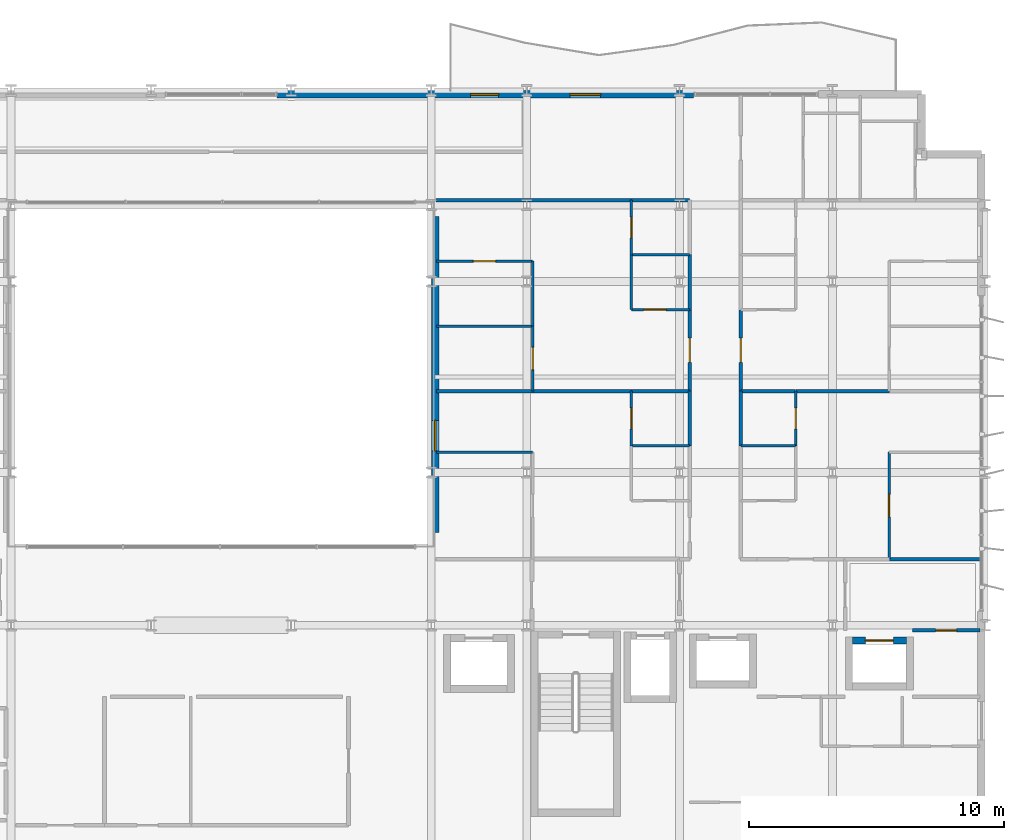
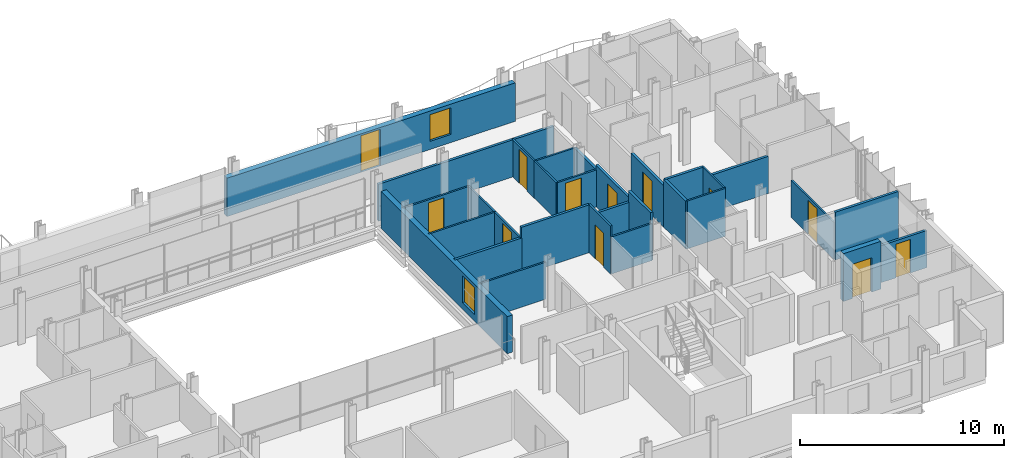
# One storey, part 32 of 39: 31 walls, 12 doors, 2 windows, 14 openings.
"""IFC4 building model written with IfcOpenShell, lengths in metres."""

from ifc_helpers import new_model, si_unit, direction, frame, frame_2d, origin, place, context, subcontext, project, spatial, rectangle, extrude, material, layer, layer_set, type_object, element, fill, save


model = new_model("IFC4")

# Units and contexts
model_context = context("Model", 3, precision=1e-05, world=origin(), true_north=direction((0.0, 1.0)))
body_context = subcontext(model_context, "Body", "Model", "MODEL_VIEW")
ifc_project = project(units=[si_unit("LENGTHUNIT", "METRE"), si_unit("AREAUNIT", "SQUARE_METRE"), si_unit("VOLUMEUNIT", "CUBIC_METRE"), si_unit("PLANEANGLEUNIT", "RADIAN"), si_unit("MASSUNIT", "GRAM", prefix="KILO")], contexts=[model_context])

# Site, building, storey
site_placement = place(None, origin())
site = spatial("IfcSite", under=ifc_project, at=site_placement, CompositionType="ELEMENT")
building_placement = place(site_placement, origin())
building = spatial("IfcBuilding", under=site, at=building_placement, Name="Brevholm Reach", CompositionType="ELEMENT")
storey_placement = place(building_placement, frame((0.0, 0.0, 77.60009765625)))
storey = spatial("IfcBuildingStorey", under=building, at=storey_placement, Name="L22", CompositionType="ELEMENT", Elevation=77.60009765625)

# Wall, opening, door
ifc_material_1 = material(Name="Concrete C50/60", Category="concrete")
ifc_layer_1 = layer(ifc_material_1, 0.280029296875)
ifc_layer_set_1 = layer_set([ifc_layer_1], Name="Concrete C50/60")
wall_type_1 = type_object("IfcWallType", Name="WAL-COR-280", PredefinedType="SHEAR", material=ifc_layer_set_1)
wall_1_placement = place(storey_placement, frame((54.7900390625, 9.39990234375, 0.0), z_axis=(0.0, 0.0, 1.0), x_axis=(1.0, 0.0, 0.0)))
wall_1 = element("IfcWall", 1, at=wall_1_placement, inside=storey, type_object=wall_type_1, Name="L22 Lift PL-L2 Shaft Wall N", PredefinedType="SHEAR", context=body_context, shape_type="SweptSolid", body=[
    extrude(rectangle(XDim=2.119873046875, YDim=0.280029296875, at=frame_2d((1.06005859375, 0.0))), origin(), (0.0, 0.0, 1.0), 2.869873046875),
])
opening_1_placement = place(wall_1_placement, frame((0.510009765625, 0.0, 0.0)))
opening_1 = element("IfcOpeningElement", 2, at=opening_1_placement, cuts=wall_1, Name="Opening LD-PL-L2", PredefinedType="OPENING", context=body_context, shape_type="SweptSolid", body=[
    extrude(rectangle(XDim=1.10009765625, YDim=2.06005859375, at=frame_2d((0.550048828125, 1.030029296875))), frame((0.0, 0.14990234375, 0.0), z_axis=(0.0, -1.0, 0.0), x_axis=(1.0, 0.0, 0.0)), (0.0, 0.0, 1.0), 0.300048828125),
])
ifc_material_2 = material(Name="Brushed Stainless Steel Fire-Rated Sliding Lift Door", Category="steel")
door_type_1 = type_object("IfcDoorType", Name="DOR-LFT-1100", OperationType="NOTDEFINED", PredefinedType="DOOR", material=ifc_material_2)
door_1_placement = place(opening_1_placement, origin())
door_1 = element("IfcDoor", 3, at=door_1_placement, inside=storey, type_object=door_type_1, Name="L22 Lift PL-L2 Sliding Landing Door", OperationType="SLIDING_TO_LEFT", OverallHeight=2.06005859375, OverallWidth=1.10009765625, PredefinedType="DOOR", context=body_context, shape_type="SweptSolid", body=[
    extrude(rectangle(XDim=1.10009765625, YDim=2.06005859375, at=frame_2d((0.550048828125, 1.030029296875))), frame((0.0, 0.02490234375, 0.0), z_axis=(0.0, -1.0, 0.0), x_axis=(1.0, 0.0, 0.0)), (0.0, 0.0, 1.0), 0.050048828125),
])
fill(opening_1, door_1)

# Wall, openings, door, window
ifc_material_3 = material(Name="Concrete C40/50", Category="concrete")
ifc_layer_2 = layer(ifc_material_3, 0.300048828125)
ifc_layer_set_2 = layer_set([ifc_layer_2], Name="Concrete C40/50")
wall_type_2 = type_object("IfcWallType", Name="WAL-EXT-300", PredefinedType="STANDARD", material=ifc_layer_set_2)
wall_2_placement = place(storey_placement, frame((32.199951171875, 30.85009765625, 0.0), z_axis=(0.0, 0.0, 1.0), x_axis=(1.0, 0.0, 0.0)))
wall_2 = element("IfcWall", 4, at=wall_2_placement, inside=storey, type_object=wall_type_2, Name="L22 Facade Wall WAL-L22-NP-ER", PredefinedType="STANDARD", context=body_context, shape_type="SweptSolid", body=[
    extrude(rectangle(XDim=16.35009765625, YDim=0.300048828125, at=frame_2d((8.175048828125, 0.0))), origin(), (0.0, 0.0, 1.0), 2.305419921875),
])
opening_2_placement = place(wall_2_placement, frame((7.60009765625, 0.0, 0.0)))
opening_2 = element("IfcOpeningElement", 5, at=opening_2_placement, cuts=wall_2, Name="Opening BD-01", PredefinedType="OPENING", context=body_context, shape_type="SweptSolid", body=[
    extrude(rectangle(XDim=1.10009765625, YDim=2.199951171875, at=frame_2d((0.550048828125, 1.10009765625))), frame((0.0, 0.159912109375, 0.0), z_axis=(0.0, -1.0, 0.0), x_axis=(1.0, 0.0, 0.0)), (0.0, 0.0, 1.0), 0.320068359375),
])
opening_3_placement = place(wall_2_placement, frame((11.5, 0.0, 0.486083984375)))
opening_3 = element("IfcOpeningElement", 6, at=opening_3_placement, cuts=wall_2, Name="Opening WN-08", PredefinedType="OPENING", context=body_context, shape_type="SweptSolid", body=[
    extrude(rectangle(XDim=1.199951171875, YDim=1.60009765625, at=frame_2d((0.60009765625, 0.800048828125))), frame((0.0, 0.159912109375, 0.0), z_axis=(0.0, -1.0, 0.0), x_axis=(1.0, 0.0, 0.0)), (0.0, 0.0, 1.0), 0.320068359375),
])
ifc_material_4 = material(Name="Dark Anodised Aluminium and Triple-Glazed Glass", Category="aluminium")
door_type_2 = type_object("IfcDoorType", Name="DOR-BALC-1100", OperationType="NOTDEFINED", PredefinedType="DOOR", material=ifc_material_4)
door_2_placement = place(opening_2_placement, origin())
door_2 = element("IfcDoor", 7, at=door_2_placement, inside=storey, type_object=door_type_2, Name="L22 Exterior Door DOR-L22-BL-NE", OperationType="SINGLE_SWING_LEFT", OverallHeight=2.199951171875, OverallWidth=1.10009765625, PredefinedType="DOOR", context=body_context, shape_type="SweptSolid", body=[
    extrude(rectangle(XDim=1.10009765625, YDim=2.199951171875, at=frame_2d((0.550048828125, 1.10009765625))), frame((0.0, 0.02490234375, 0.0), z_axis=(0.0, -1.0, 0.0), x_axis=(1.0, 0.0, 0.0)), (0.0, 0.0, 1.0), 0.050048828125),
])
fill(opening_2, door_2)
ifc_material_5 = material(Name="Dark Anodised Aluminium and Solar-Control IGU Glass", Category="aluminium")
window_type = type_object("IfcWindowType", Name="WIN-RES-1200", PartitioningType="SINGLE_PANEL", PredefinedType="WINDOW", material=ifc_material_5)
window_1_placement = place(opening_3_placement, origin())
window_1 = element("IfcWindow", 8, at=window_1_placement, inside=storey, type_object=window_type, Name="L22 Window WIN-L22-NP-ER1", OverallHeight=1.60009765625, OverallWidth=1.199951171875, PartitioningType="SINGLE_PANEL", PredefinedType="WINDOW", context=body_context, shape_type="SweptSolid", body=[
    extrude(rectangle(XDim=1.199951171875, YDim=1.60009765625, at=frame_2d((0.60009765625, 0.800048828125))), frame((0.0, 0.030029296875, 0.0), z_axis=(0.0, -1.0, 0.0), x_axis=(1.0, 0.0, 0.0)), (0.0, 0.0, 1.0), 0.06005859375),
])
fill(opening_3, window_1)

# Wall, opening, window
wall_3_placement = place(storey_placement, frame((38.39990234375, 13.64990234375, 0.0), z_axis=(0.0, 0.0, 1.0), x_axis=(0.0, 1.0, 0.0)))
wall_3 = element("IfcWall", 9, at=wall_3_placement, inside=storey, type_object=wall_type_2, Name="L22 Facade Wall WAL-L22-AT-E", PredefinedType="STANDARD", context=body_context, shape_type="SweptSolid", body=[
    extrude(rectangle(XDim=12.400146484375, YDim=0.300048828125, at=frame_2d((6.2001953125, 0.0))), origin(), (0.0, 0.0, 1.0), 2.224609375),
])
opening_4_placement = place(wall_3_placement, frame((3.199951171875, 0.0, 0.405029296875)))
opening_4 = element("IfcOpeningElement", 10, at=opening_4_placement, cuts=wall_3, Name="Opening WN-08", PredefinedType="OPENING", context=body_context, shape_type="SweptSolid", body=[
    extrude(rectangle(XDim=1.199951171875, YDim=1.60009765625, at=frame_2d((0.60009765625, 0.800048828125))), frame((0.0, 0.159912109375, 0.0), z_axis=(0.0, -1.0, 0.0), x_axis=(1.0, 0.0, 0.0)), (0.0, 0.0, 1.0), 0.320068359375),
])
window_2_placement = place(opening_4_placement, origin())
window_2 = element("IfcWindow", 11, at=window_2_placement, inside=storey, type_object=window_type, Name="L22 Window WIN-L22-AT-E1", OverallHeight=1.60009765625, OverallWidth=1.199951171875, PartitioningType="SINGLE_PANEL", PredefinedType="WINDOW", context=body_context, shape_type="SweptSolid", body=[
    extrude(rectangle(XDim=1.199951171875, YDim=1.60009765625, at=frame_2d((0.60009765625, 0.800048828125))), frame((0.0, 0.030029296875, 0.0), z_axis=(0.0, -1.0, 0.0), x_axis=(1.0, 0.0, 0.0)), (0.0, 0.0, 1.0), 0.06005859375),
])
fill(opening_4, window_2)

# Wall
ifc_material_6 = material(Name="Moisture-Resistant Acoustic Gypsum Stud Partition 100 mm", Category="gypsum")
ifc_layer_3 = layer(ifc_material_6, 0.10009765625)
ifc_layer_set_3 = layer_set([ifc_layer_3], Name="Moisture-Resistant Acoustic Gypsum Stud Partition 100 mm")
wall_type_3 = type_object("IfcWallType", Name="WAL-PRT-100", PredefinedType="PARTITIONING", material=ifc_layer_set_3)
wall_4_placement = place(storey_placement, frame((46.112060546875, 17.050048828125, 0.0), z_axis=(0.0, 0.0, 1.0), x_axis=(1.0, 0.0, 0.0)))
element("IfcWall", 12, at=wall_4_placement, inside=storey, type_object=wall_type_3, Name="L22 Internal Partition 130", PredefinedType="PARTITIONING", context=body_context, shape_type="SweptSolid", body=[
    extrude(rectangle(XDim=2.283935546875, YDim=0.10009765625, at=frame_2d((1.14208984375, 0.0))), origin(), (0.0, 0.0, 1.0), 2.224609375),
])

# Wall, opening, door
wall_5_placement = place(storey_placement, frame((46.112060546875, 17.050048828125, 0.0), z_axis=(0.0, 0.0, 1.0), x_axis=(0.0, 1.0, 0.0)))
wall_5 = element("IfcWall", 13, at=wall_5_placement, inside=storey, type_object=wall_type_3, Name="L22 Internal Partition 131", PredefinedType="PARTITIONING", context=body_context, shape_type="SweptSolid", body=[
    extrude(rectangle(XDim=2.14990234375, YDim=0.10009765625, at=frame_2d((1.074951171875, 0.0))), origin(), (0.0, 0.0, 1.0), 2.869873046875),
])
opening_5_placement = place(wall_5_placement, frame((0.6650390625, 0.0, 0.0)))
opening_5 = element("IfcOpeningElement", 14, at=opening_5_placement, cuts=wall_5, Name="Opening ID-03", PredefinedType="OPENING", context=body_context, shape_type="SweptSolid", body=[
    extrude(rectangle(XDim=0.820068359375, YDim=2.02001953125, at=frame_2d((0.41015625, 1.010009765625))), frame((0.0, 0.06005859375, 0.0), z_axis=(0.0, -1.0, 0.0), x_axis=(1.0, 0.0, 0.0)), (0.0, 0.0, 1.0), 0.1201171875),
])
ifc_material_7 = material(Name="Moisture-Resistant Painted Timber Internal Bathroom Door", Category="wood")
door_type_3 = type_object("IfcDoorType", Name="DOR-BATH-820", OperationType="NOTDEFINED", PredefinedType="DOOR", material=ifc_material_7)
door_3_placement = place(opening_5_placement, origin())
door_3 = element("IfcDoor", 15, at=door_3_placement, inside=storey, type_object=door_type_3, Name="L22 Internal Door 050", OperationType="SINGLE_SWING_LEFT", OverallHeight=2.02001953125, OverallWidth=0.820068359375, PredefinedType="DOOR", context=body_context, shape_type="SweptSolid", body=[
    extrude(rectangle(XDim=0.820068359375, YDim=2.02001953125, at=frame_2d((0.41015625, 1.010009765625))), frame((0.0, 0.02490234375, 0.0), z_axis=(0.0, -1.0, 0.0), x_axis=(1.0, 0.0, 0.0)), (0.0, 0.0, 1.0), 0.050048828125),
])
fill(opening_5, door_3)

# Walls
wall_6_placement = place(storey_placement, frame((38.449951171875, 16.800048828125, 0.0), z_axis=(0.0, 0.0, 1.0), x_axis=(1.0, 0.0, 0.0)))
element("IfcWall", 16, at=wall_6_placement, inside=storey, type_object=wall_type_3, Name="L22 Internal Partition 136", PredefinedType="PARTITIONING", context=body_context, shape_type="SweptSolid", body=[
    extrude(rectangle(XDim=3.781005859375, YDim=0.10009765625, at=frame_2d((1.890625, 0.0))), origin(), (0.0, 0.0, 1.0), 2.224609375),
])
wall_7_placement = place(storey_placement, frame((46.112060546875, 24.550048828125, 0.0), z_axis=(0.0, 0.0, 1.0), x_axis=(1.0, 0.0, 0.0)))
element("IfcWall", 17, at=wall_7_placement, inside=storey, type_object=wall_type_3, Name="L22 Internal Partition 139", PredefinedType="PARTITIONING", context=body_context, shape_type="SweptSolid", body=[
    extrude(rectangle(XDim=2.283935546875, YDim=0.10009765625, at=frame_2d((1.14208984375, 0.0))), origin(), (0.0, 0.0, 1.0), 2.224609375),
])

# Wall, opening, door
wall_8_placement = place(storey_placement, frame((46.112060546875, 24.550048828125, 0.0), z_axis=(0.0, 0.0, 1.0), x_axis=(0.0, 1.0, 0.0)))
wall_8 = element("IfcWall", 18, at=wall_8_placement, inside=storey, type_object=wall_type_3, Name="L22 Internal Partition 140", PredefinedType="PARTITIONING", context=body_context, shape_type="SweptSolid", body=[
    extrude(rectangle(XDim=2.14599609375, YDim=0.10009765625, at=frame_2d((1.072998046875, 0.0))), origin(), (0.0, 0.0, 1.0), 2.224609375),
])
opening_6_placement = place(wall_8_placement, frame((0.6630859375, 0.0, 0.0)))
opening_6 = element("IfcOpeningElement", 19, at=opening_6_placement, cuts=wall_8, Name="Opening ID-03", PredefinedType="OPENING", context=body_context, shape_type="SweptSolid", body=[
    extrude(rectangle(XDim=0.820068359375, YDim=2.02001953125, at=frame_2d((0.41015625, 1.010009765625))), frame((0.0, 0.06005859375, 0.0), z_axis=(0.0, -1.0, 0.0), x_axis=(1.0, 0.0, 0.0)), (0.0, 0.0, 1.0), 0.1201171875),
])
door_4_placement = place(opening_6_placement, origin())
door_4 = element("IfcDoor", 20, at=door_4_placement, inside=storey, type_object=door_type_3, Name="L22 Internal Door 053", OperationType="SINGLE_SWING_RIGHT", OverallHeight=2.02001953125, OverallWidth=0.820068359375, PredefinedType="DOOR", context=body_context, shape_type="SweptSolid", body=[
    extrude(rectangle(XDim=0.820068359375, YDim=2.02001953125, at=frame_2d((0.41015625, 1.010009765625))), frame((0.0, 0.02490234375, 0.0), z_axis=(0.0, -1.0, 0.0), x_axis=(1.0, 0.0, 0.0)), (0.0, 0.0, 1.0), 0.050048828125),
])
fill(opening_6, door_4)

wall_9_placement = place(storey_placement, frame((46.112060546875, 22.39990234375, 0.0), z_axis=(0.0, 0.0, 1.0), x_axis=(1.0, 0.0, 0.0)))
wall_9 = element("IfcWall", 21, at=wall_9_placement, inside=storey, type_object=wall_type_3, Name="L22 Internal Partition 141", PredefinedType="PARTITIONING", context=body_context, shape_type="SweptSolid", body=[
    extrude(rectangle(XDim=2.283935546875, YDim=0.10009765625, at=frame_2d((1.14208984375, 0.0))), origin(), (0.0, 0.0, 1.0), 2.224609375),
])
opening_7_placement = place(wall_9_placement, frame((0.48193359375, 0.0, 0.0)))
opening_7 = element("IfcOpeningElement", 22, at=opening_7_placement, cuts=wall_9, Name="Opening ID-01", PredefinedType="OPENING", context=body_context, shape_type="SweptSolid", body=[
    extrude(rectangle(XDim=0.8798828125, YDim=2.0400390625, at=frame_2d((0.43994140625, 1.02001953125))), frame((0.0, 0.06005859375, 0.0), z_axis=(0.0, -1.0, 0.0), x_axis=(1.0, 0.0, 0.0)), (0.0, 0.0, 1.0), 0.1201171875),
])
ifc_material_8 = material(Name="Lacquered Ash Solid-Core Acoustic Internal Door", Category="timber")
door_type_4 = type_object("IfcDoorType", Name="DOR-INT-880", OperationType="NOTDEFINED", PredefinedType="DOOR", material=ifc_material_8)
door_5_placement = place(opening_7_placement, origin())
door_5 = element("IfcDoor", 23, at=door_5_placement, inside=storey, type_object=door_type_4, Name="L22 Internal Door 054", OperationType="SINGLE_SWING_LEFT", OverallHeight=2.0400390625, OverallWidth=0.8798828125, PredefinedType="DOOR", context=body_context, shape_type="SweptSolid", body=[
    extrude(rectangle(XDim=0.8798828125, YDim=2.0400390625, at=frame_2d((0.43994140625, 1.02001953125))), frame((0.0, 0.02490234375, 0.0), z_axis=(0.0, -1.0, 0.0), x_axis=(1.0, 0.0, 0.0)), (0.0, 0.0, 1.0), 0.050048828125),
])
fill(opening_7, door_5)

# Walls
wall_10_placement = place(storey_placement, frame((46.112060546875, 22.39990234375, 0.0), z_axis=(0.0, 0.0, 1.0), x_axis=(0.0, 1.0, 0.0)))
element("IfcWall", 24, at=wall_10_placement, inside=storey, type_object=wall_type_3, Name="L22 Internal Partition 142", PredefinedType="PARTITIONING", context=body_context, shape_type="SweptSolid", body=[
    extrude(rectangle(XDim=2.14599609375, YDim=0.10009765625, at=frame_2d((1.072998046875, 0.0))), origin(), (0.0, 0.0, 1.0), 2.224609375),
])
wall_11_placement = place(storey_placement, frame((38.449951171875, 21.75, 0.0), z_axis=(0.0, 0.0, 1.0), x_axis=(1.0, 0.0, 0.0)))
element("IfcWall", 25, at=wall_11_placement, inside=storey, type_object=wall_type_3, Name="L22 Internal Partition 143", PredefinedType="PARTITIONING", context=body_context, shape_type="SweptSolid", body=[
    extrude(rectangle(XDim=3.781005859375, YDim=0.10009765625, at=frame_2d((1.890625, 0.0))), origin(), (0.0, 0.0, 1.0), 2.224609375),
])

# Wall, opening, door
wall_12_placement = place(storey_placement, frame((42.23095703125, 19.2041015625, 0.0), z_axis=(0.0, 0.0, 1.0), x_axis=(0.0, 1.0, 0.0)))
wall_12 = element("IfcWall", 26, at=wall_12_placement, inside=storey, type_object=wall_type_3, Name="L22 Internal Partition 144", PredefinedType="PARTITIONING", context=body_context, shape_type="SweptSolid", body=[
    extrude(rectangle(XDim=2.5458984375, YDim=0.10009765625, at=frame_2d((1.27294921875, 0.0))), origin(), (0.0, 0.0, 1.0), 2.224609375),
])
opening_8_placement = place(wall_12_placement, frame((0.8330078125, 0.0, 0.0)))
opening_8 = element("IfcOpeningElement", 27, at=opening_8_placement, cuts=wall_12, Name="Opening ID-01", PredefinedType="OPENING", context=body_context, shape_type="SweptSolid", body=[
    extrude(rectangle(XDim=0.8798828125, YDim=2.0400390625, at=frame_2d((0.43994140625, 1.02001953125))), frame((0.0, 0.06005859375, 0.0), z_axis=(0.0, -1.0, 0.0), x_axis=(1.0, 0.0, 0.0)), (0.0, 0.0, 1.0), 0.1201171875),
])
door_6_placement = place(opening_8_placement, origin())
door_6 = element("IfcDoor", 28, at=door_6_placement, inside=storey, type_object=door_type_4, Name="L22 Internal Door 055", OperationType="SINGLE_SWING_RIGHT", OverallHeight=2.0400390625, OverallWidth=0.8798828125, PredefinedType="DOOR", context=body_context, shape_type="SweptSolid", body=[
    extrude(rectangle(XDim=0.8798828125, YDim=2.0400390625, at=frame_2d((0.43994140625, 1.02001953125))), frame((0.0, 0.02490234375, 0.0), z_axis=(0.0, -1.0, 0.0), x_axis=(1.0, 0.0, 0.0)), (0.0, 0.0, 1.0), 0.050048828125),
])
fill(opening_8, door_6)

# Wall
wall_13_placement = place(storey_placement, frame((42.23095703125, 21.75390625, 0.0), z_axis=(0.0, 0.0, 1.0), x_axis=(0.0, 1.0, 0.0)))
element("IfcWall", 29, at=wall_13_placement, inside=storey, type_object=wall_type_3, Name="L22 Internal Partition 145", PredefinedType="PARTITIONING", context=body_context, shape_type="SweptSolid", body=[
    extrude(rectangle(XDim=2.546142578125, YDim=0.10009765625, at=frame_2d((1.27294921875, 0.0))), origin(), (0.0, 0.0, 1.0), 2.224609375),
])

# Wall, opening, door
wall_14_placement = place(storey_placement, frame((38.449951171875, 24.300048828125, 0.0), z_axis=(0.0, 0.0, 1.0), x_axis=(1.0, 0.0, 0.0)))
wall_14 = element("IfcWall", 30, at=wall_14_placement, inside=storey, type_object=wall_type_3, Name="L22 Internal Partition 146", PredefinedType="PARTITIONING", context=body_context, shape_type="SweptSolid", body=[
    extrude(rectangle(XDim=3.781005859375, YDim=0.10009765625, at=frame_2d((1.890625, 0.0))), origin(), (0.0, 0.0, 1.0), 2.224609375),
])
opening_9_placement = place(wall_14_placement, frame((1.450439453125, 0.0, 0.0)))
opening_9 = element("IfcOpeningElement", 31, at=opening_9_placement, cuts=wall_14, Name="Opening ID-01", PredefinedType="OPENING", context=body_context, shape_type="SweptSolid", body=[
    extrude(rectangle(XDim=0.8798828125, YDim=2.0400390625, at=frame_2d((0.43994140625, 1.02001953125))), frame((0.0, 0.06005859375, 0.0), z_axis=(0.0, -1.0, 0.0), x_axis=(1.0, 0.0, 0.0)), (0.0, 0.0, 1.0), 0.1201171875),
])
door_7_placement = place(opening_9_placement, origin())
door_7 = element("IfcDoor", 32, at=door_7_placement, inside=storey, type_object=door_type_4, Name="L22 Internal Door 056", OperationType="SINGLE_SWING_LEFT", OverallHeight=2.0400390625, OverallWidth=0.8798828125, PredefinedType="DOOR", context=body_context, shape_type="SweptSolid", body=[
    extrude(rectangle(XDim=0.8798828125, YDim=2.0400390625, at=frame_2d((0.43994140625, 1.02001953125))), frame((0.0, 0.02490234375, 0.0), z_axis=(0.0, -1.0, 0.0), x_axis=(1.0, 0.0, 0.0)), (0.0, 0.0, 1.0), 0.050048828125),
])
fill(opening_9, door_7)

# Wall
wall_15_placement = place(storey_placement, frame((50.404052734375, 17.050048828125, 0.0), z_axis=(0.0, 0.0, 1.0), x_axis=(1.0, 0.0, 0.0)))
element("IfcWall", 33, at=wall_15_placement, inside=storey, type_object=wall_type_3, Name="L22 Internal Partition 147", PredefinedType="PARTITIONING", context=body_context, shape_type="SweptSolid", body=[
    extrude(rectangle(XDim=2.157958984375, YDim=0.10009765625, at=frame_2d((1.0791015625, 0.0))), origin(), (0.0, 0.0, 1.0), 2.869873046875),
])

# Wall, opening, door
wall_16_placement = place(storey_placement, frame((52.56201171875, 17.050048828125, 0.0), z_axis=(0.0, 0.0, 1.0), x_axis=(0.0, 1.0, 0.0)))
wall_16 = element("IfcWall", 34, at=wall_16_placement, inside=storey, type_object=wall_type_3, Name="L22 Internal Partition 148", PredefinedType="PARTITIONING", context=body_context, shape_type="SweptSolid", body=[
    extrude(rectangle(XDim=2.14990234375, YDim=0.10009765625, at=frame_2d((1.074951171875, 0.0))), origin(), (0.0, 0.0, 1.0), 2.869873046875),
])
opening_10_placement = place(wall_16_placement, frame((0.6650390625, 0.0, 0.0)))
opening_10 = element("IfcOpeningElement", 35, at=opening_10_placement, cuts=wall_16, Name="Opening ID-03", PredefinedType="OPENING", context=body_context, shape_type="SweptSolid", body=[
    extrude(rectangle(XDim=0.820068359375, YDim=2.02001953125, at=frame_2d((0.41015625, 1.010009765625))), frame((0.0, 0.06005859375, 0.0), z_axis=(0.0, -1.0, 0.0), x_axis=(1.0, 0.0, 0.0)), (0.0, 0.0, 1.0), 0.1201171875),
])
door_8_placement = place(opening_10_placement, origin())
door_8 = element("IfcDoor", 36, at=door_8_placement, inside=storey, type_object=door_type_3, Name="L22 Internal Door 057", OperationType="SINGLE_SWING_RIGHT", OverallHeight=2.02001953125, OverallWidth=0.820068359375, PredefinedType="DOOR", context=body_context, shape_type="SweptSolid", body=[
    extrude(rectangle(XDim=0.820068359375, YDim=2.02001953125, at=frame_2d((0.41015625, 1.010009765625))), frame((0.0, 0.02490234375, 0.0), z_axis=(0.0, -1.0, 0.0), x_axis=(1.0, 0.0, 0.0)), (0.0, 0.0, 1.0), 0.050048828125),
])
fill(opening_10, door_8)

wall_17_placement = place(storey_placement, frame((56.22802734375, 12.60400390625, 0.0), z_axis=(0.0, 0.0, 1.0), x_axis=(0.0, 1.0, 0.0)))
wall_17 = element("IfcWall", 37, at=wall_17_placement, inside=storey, type_object=wall_type_3, Name="L22 Internal Partition 153", PredefinedType="PARTITIONING", context=body_context, shape_type="SweptSolid", body=[
    extrude(rectangle(XDim=4.196044921875, YDim=0.10009765625, at=frame_2d((2.09814453125, 0.0))), origin(), (0.0, 0.0, 1.0), 2.224609375),
])
opening_11_placement = place(wall_17_placement, frame((1.657958984375, 0.0, 0.0)))
opening_11 = element("IfcOpeningElement", 38, at=opening_11_placement, cuts=wall_17, Name="Opening ID-01", PredefinedType="OPENING", context=body_context, shape_type="SweptSolid", body=[
    extrude(rectangle(XDim=0.8798828125, YDim=2.0400390625, at=frame_2d((0.43994140625, 1.02001953125))), frame((0.0, 0.06005859375, 0.0), z_axis=(0.0, -1.0, 0.0), x_axis=(1.0, 0.0, 0.0)), (0.0, 0.0, 1.0), 0.1201171875),
])
door_9_placement = place(opening_11_placement, origin())
door_9 = element("IfcDoor", 39, at=door_9_placement, inside=storey, type_object=door_type_4, Name="L22 Internal Door 059", OperationType="SINGLE_SWING_RIGHT", OverallHeight=2.0400390625, OverallWidth=0.8798828125, PredefinedType="DOOR", context=body_context, shape_type="SweptSolid", body=[
    extrude(rectangle(XDim=0.8798828125, YDim=2.0400390625, at=frame_2d((0.43994140625, 1.02001953125))), frame((0.0, 0.02490234375, 0.0), z_axis=(0.0, -1.0, 0.0), x_axis=(1.0, 0.0, 0.0)), (0.0, 0.0, 1.0), 0.050048828125),
])
fill(opening_11, door_9)

# Walls
ifc_material_9 = material(Name="Twin-Stud Acoustic Fire-Rated Gypsum Partition 140 mm", Category="gypsum")
ifc_layer_4 = layer(ifc_material_9, 0.139892578125)
ifc_layer_set_4 = layer_set([ifc_layer_4], Name="Twin-Stud Acoustic Fire-Rated Gypsum Partition 140 mm")
wall_type_4 = type_object("IfcWallType", Name="WAL-PRT-140", PredefinedType="PARTITIONING", material=ifc_layer_set_4)
wall_18_placement = place(storey_placement, frame((48.39990234375, 17.038818359375, 0.0), z_axis=(0.0, 0.0, 1.0), x_axis=(0.0, 1.0, 0.0)))
element("IfcWall", 40, at=wall_18_placement, inside=storey, type_object=wall_type_4, Name="L22 Internal Partition 046", PredefinedType="PARTITIONING", context=body_context, shape_type="SweptSolid", body=[
    extrude(rectangle(XDim=2.17236328125, YDim=0.139892578125, at=frame_2d((1.086181640625, 0.0))), origin(), (0.0, 0.0, 1.0), 2.869873046875),
])
wall_19_placement = place(storey_placement, frame((48.39990234375, 22.388671875, 0.0), z_axis=(0.0, 0.0, 1.0), x_axis=(0.0, 1.0, 0.0)))
element("IfcWall", 41, at=wall_19_placement, inside=storey, type_object=wall_type_4, Name="L22 Internal Partition 050", PredefinedType="PARTITIONING", context=body_context, shape_type="SweptSolid", body=[
    extrude(rectangle(XDim=2.168701171875, YDim=0.139892578125, at=frame_2d((1.08447265625, 0.0))), origin(), (0.0, 0.0, 1.0), 2.224609375),
])

# Wall, opening, door
wall_20_placement = place(storey_placement, frame((48.39990234375, 19.192626953125, 0.0), z_axis=(0.0, 0.0, 1.0), x_axis=(0.0, 1.0, 0.0)))
wall_20 = element("IfcWall", 42, at=wall_20_placement, inside=storey, type_object=wall_type_4, Name="L22 Internal Partition 051", PredefinedType="PARTITIONING", context=body_context, shape_type="SweptSolid", body=[
    extrude(rectangle(XDim=3.214599609375, YDim=0.139892578125, at=frame_2d((1.607421875, 0.0))), origin(), (0.0, 0.0, 1.0), 2.489990234375),
])
opening_12_placement = place(wall_20_placement, frame((1.13232421875, 0.0, 0.0)))
opening_12 = element("IfcOpeningElement", 43, at=opening_12_placement, cuts=wall_20, Name="Opening ID-30", PredefinedType="OPENING", context=body_context, shape_type="SweptSolid", body=[
    extrude(rectangle(XDim=0.949951171875, YDim=2.050048828125, at=frame_2d((0.47509765625, 1.02490234375))), frame((0.0, 0.079833984375, 0.0), z_axis=(0.0, -1.0, 0.0), x_axis=(1.0, 0.0, 0.0)), (0.0, 0.0, 1.0), 0.159912109375),
])
ifc_material_10 = material(Name="European Oak Veneered Solid-Core Fire Entrance Door", Category="timber")
door_type_5 = type_object("IfcDoorType", Name="DOR-FLT-FD30S", OperationType="NOTDEFINED", PredefinedType="DOOR", material=ifc_material_10)
door_10_placement = place(opening_12_placement, origin())
door_10 = element("IfcDoor", 44, at=door_10_placement, inside=storey, type_object=door_type_5, Name="L22 Internal Door 023", OperationType="SINGLE_SWING_RIGHT", OverallHeight=2.050048828125, OverallWidth=0.949951171875, PredefinedType="DOOR", context=body_context, shape_type="SweptSolid", body=[
    extrude(rectangle(XDim=0.949951171875, YDim=2.050048828125, at=frame_2d((0.47509765625, 1.02490234375))), frame((0.0, 0.02490234375, 0.0), z_axis=(0.0, -1.0, 0.0), x_axis=(1.0, 0.0, 0.0)), (0.0, 0.0, 1.0), 0.050048828125),
])
fill(opening_12, door_10)

# Wall
wall_21_placement = place(storey_placement, frame((50.39990234375, 17.038818359375, 0.0), z_axis=(0.0, 0.0, 1.0), x_axis=(0.0, 1.0, 0.0)))
element("IfcWall", 45, at=wall_21_placement, inside=storey, type_object=wall_type_4, Name="L22 Internal Partition 052", PredefinedType="PARTITIONING", context=body_context, shape_type="SweptSolid", body=[
    extrude(rectangle(XDim=2.17236328125, YDim=0.139892578125, at=frame_2d((1.086181640625, 0.0))), origin(), (0.0, 0.0, 1.0), 2.869873046875),
])

# Wall, opening, door
wall_22_placement = place(storey_placement, frame((50.39990234375, 19.192626953125, 0.0), z_axis=(0.0, 0.0, 1.0), x_axis=(0.0, 1.0, 0.0)))
wall_22 = element("IfcWall", 46, at=wall_22_placement, inside=storey, type_object=wall_type_4, Name="L22 Internal Partition 057", PredefinedType="PARTITIONING", context=body_context, shape_type="SweptSolid", body=[
    extrude(rectangle(XDim=3.214599609375, YDim=0.139892578125, at=frame_2d((1.607421875, 0.0))), origin(), (0.0, 0.0, 1.0), 2.489990234375),
])
opening_13_placement = place(wall_22_placement, frame((1.13232421875, 0.0, 0.0)))
opening_13 = element("IfcOpeningElement", 47, at=opening_13_placement, cuts=wall_22, Name="Opening ID-30", PredefinedType="OPENING", context=body_context, shape_type="SweptSolid", body=[
    extrude(rectangle(XDim=0.949951171875, YDim=2.050048828125, at=frame_2d((0.47509765625, 1.02490234375))), frame((0.0, 0.079833984375, 0.0), z_axis=(0.0, -1.0, 0.0), x_axis=(1.0, 0.0, 0.0)), (0.0, 0.0, 1.0), 0.159912109375),
])
door_11_placement = place(opening_13_placement, origin())
door_11 = element("IfcDoor", 48, at=door_11_placement, inside=storey, type_object=door_type_5, Name="L22 Internal Door 024", OperationType="SINGLE_SWING_LEFT", OverallHeight=2.050048828125, OverallWidth=0.949951171875, PredefinedType="DOOR", context=body_context, shape_type="SweptSolid", body=[
    extrude(rectangle(XDim=0.949951171875, YDim=2.050048828125, at=frame_2d((0.47509765625, 1.02490234375))), frame((0.0, 0.02490234375, 0.0), z_axis=(0.0, -1.0, 0.0), x_axis=(1.0, 0.0, 0.0)), (0.0, 0.0, 1.0), 0.050048828125),
])
fill(opening_13, door_11)

# Walls
wall_23_placement = place(storey_placement, frame((46.1005859375, 26.699951171875, 0.0), z_axis=(0.0, 0.0, 1.0), x_axis=(1.0, 0.0, 0.0)))
element("IfcWall", 49, at=wall_23_placement, inside=storey, type_object=wall_type_4, Name="L22 Internal Partition 061", PredefinedType="PARTITIONING", context=body_context, shape_type="SweptSolid", body=[
    extrude(rectangle(XDim=2.29541015625, YDim=0.139892578125, at=frame_2d((1.147705078125, 0.0))), origin(), (0.0, 0.0, 1.0), 2.224609375),
])
wall_24_placement = place(storey_placement, frame((38.438720703125, 26.699951171875, 0.0), z_axis=(0.0, 0.0, 1.0), x_axis=(1.0, 0.0, 0.0)))
element("IfcWall", 50, at=wall_24_placement, inside=storey, type_object=wall_type_4, Name="L22 Internal Partition 062", PredefinedType="PARTITIONING", context=body_context, shape_type="SweptSolid", body=[
    extrude(rectangle(XDim=7.6806640625, YDim=0.139892578125, at=frame_2d((3.84033203125, 0.0))), origin(), (0.0, 0.0, 1.0), 2.224609375),
])

# Wall, opening, door
wall_25_placement = place(storey_placement, frame((57.138671875, 9.800048828125, 0.0), z_axis=(0.0, 0.0, 1.0), x_axis=(1.0, 0.0, 0.0)))
wall_25 = element("IfcWall", 51, at=wall_25_placement, inside=storey, type_object=wall_type_4, Name="L22 Internal Partition 079", PredefinedType="PARTITIONING", context=body_context, shape_type="SweptSolid", body=[
    extrude(rectangle(XDim=2.661376953125, YDim=0.139892578125, at=frame_2d((1.33056640625, 0.0))), origin(), (0.0, 0.0, 1.0), 2.224609375),
])
opening_14_placement = place(wall_25_placement, frame((0.920654296875, 0.0, 0.0)))
opening_14 = element("IfcOpeningElement", 52, at=opening_14_placement, cuts=wall_25, Name="Opening ID-02", PredefinedType="OPENING", context=body_context, shape_type="SweptSolid", body=[
    extrude(rectangle(XDim=0.820068359375, YDim=2.02001953125, at=frame_2d((0.41015625, 1.010009765625))), frame((0.0, 0.079833984375, 0.0), z_axis=(0.0, -1.0, 0.0), x_axis=(1.0, 0.0, 0.0)), (0.0, 0.0, 1.0), 0.159912109375),
])
ifc_material_11 = material(Name="Moisture-Resistant Painted Timber Fire-Rated Riser and Service Door", Category="wood")
door_type_6 = type_object("IfcDoorType", Name="DOR-SRV-820", OperationType="NOTDEFINED", PredefinedType="DOOR", material=ifc_material_11)
door_12_placement = place(opening_14_placement, origin())
door_12 = element("IfcDoor", 53, at=door_12_placement, inside=storey, type_object=door_type_6, Name="L22 Access Door 068", OperationType="SINGLE_SWING_LEFT", OverallHeight=2.02001953125, OverallWidth=0.820068359375, PredefinedType="DOOR", context=body_context, shape_type="SweptSolid", body=[
    extrude(rectangle(XDim=0.820068359375, YDim=2.02001953125, at=frame_2d((0.41015625, 1.010009765625))), frame((0.0, 0.02490234375, 0.0), z_axis=(0.0, -1.0, 0.0), x_axis=(1.0, 0.0, 0.0)), (0.0, 0.0, 1.0), 0.050048828125),
])
fill(opening_14, door_12)

# Walls
wall_26_placement = place(storey_placement, frame((56.216796875, 12.60009765625, 0.0), z_axis=(0.0, 0.0, 1.0), x_axis=(1.0, 0.0, 0.0)))
element("IfcWall", 54, at=wall_26_placement, inside=storey, type_object=wall_type_4, Name="L22 Internal Partition 080", PredefinedType="PARTITIONING", context=body_context, shape_type="SweptSolid", body=[
    extrude(rectangle(XDim=3.583251953125, YDim=0.139892578125, at=frame_2d((1.79150390625, 0.0))), origin(), (0.0, 0.0, 1.0), 2.869873046875),
])
wall_27_placement = place(storey_placement, frame((46.112060546875, 19.199951171875, 0.0), z_axis=(0.0, 0.0, 1.0), x_axis=(1.0, 0.0, 0.0)))
element("IfcWall", 55, at=wall_27_placement, inside=storey, type_object=wall_type_4, Name="L22 Internal Partition 132", PredefinedType="PARTITIONING", context=body_context, shape_type="SweptSolid", body=[
    extrude(rectangle(XDim=2.283935546875, YDim=0.139892578125, at=frame_2d((1.14208984375, 0.0))), origin(), (0.0, 0.0, 1.0), 2.224609375),
])
wall_28_placement = place(storey_placement, frame((38.449951171875, 19.199951171875, 0.0), z_axis=(0.0, 0.0, 1.0), x_axis=(1.0, 0.0, 0.0)))
element("IfcWall", 56, at=wall_28_placement, inside=storey, type_object=wall_type_4, Name="L22 Internal Partition 137", PredefinedType="PARTITIONING", context=body_context, shape_type="SweptSolid", body=[
    extrude(rectangle(XDim=3.792236328125, YDim=0.139892578125, at=frame_2d((1.89599609375, 0.0))), origin(), (0.0, 0.0, 1.0), 2.224609375),
])
wall_29_placement = place(storey_placement, frame((42.2236328125, 19.199951171875, 0.0), z_axis=(0.0, 0.0, 1.0), x_axis=(1.0, 0.0, 0.0)))
element("IfcWall", 57, at=wall_29_placement, inside=storey, type_object=wall_type_4, Name="L22 Internal Partition 138", PredefinedType="PARTITIONING", context=body_context, shape_type="SweptSolid", body=[
    extrude(rectangle(XDim=3.88427734375, YDim=0.139892578125, at=frame_2d((1.942138671875, 0.0))), origin(), (0.0, 0.0, 1.0), 2.869873046875),
])
wall_30_placement = place(storey_placement, frame((50.404052734375, 19.199951171875, 0.0), z_axis=(0.0, 0.0, 1.0), x_axis=(1.0, 0.0, 0.0)))
element("IfcWall", 58, at=wall_30_placement, inside=storey, type_object=wall_type_4, Name="L22 Internal Partition 149", PredefinedType="PARTITIONING", context=body_context, shape_type="SweptSolid", body=[
    extrude(rectangle(XDim=2.157958984375, YDim=0.139892578125, at=frame_2d((1.0791015625, 0.0))), origin(), (0.0, 0.0, 1.0), 2.869873046875),
])
wall_31_placement = place(storey_placement, frame((52.56591796875, 19.199951171875, 0.0), z_axis=(0.0, 0.0, 1.0), x_axis=(1.0, 0.0, 0.0)))
element("IfcWall", 59, at=wall_31_placement, inside=storey, type_object=wall_type_4, Name="L22 Internal Partition 155", PredefinedType="PARTITIONING", context=body_context, shape_type="SweptSolid", body=[
    extrude(rectangle(XDim=3.66943359375, YDim=0.139892578125, at=frame_2d((1.834716796875, 0.0))), origin(), (0.0, 0.0, 1.0), 2.224609375),
])

save(model, "model.ifc")
